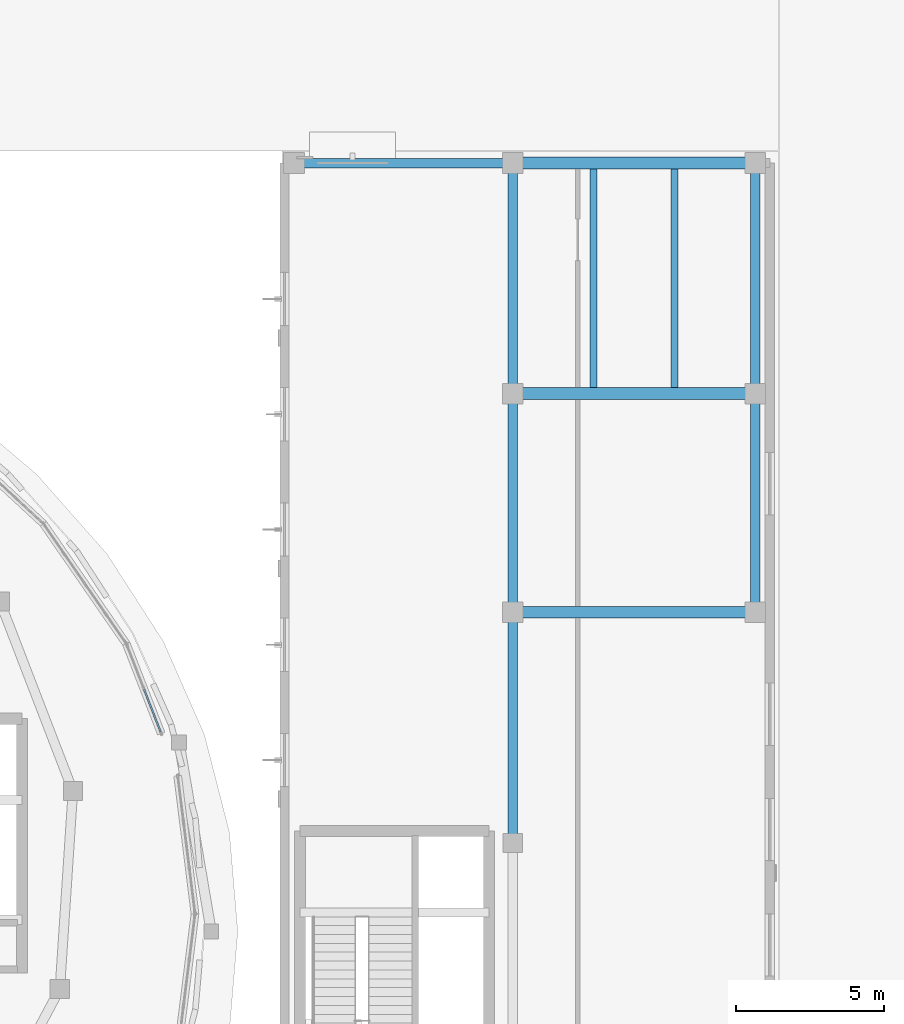
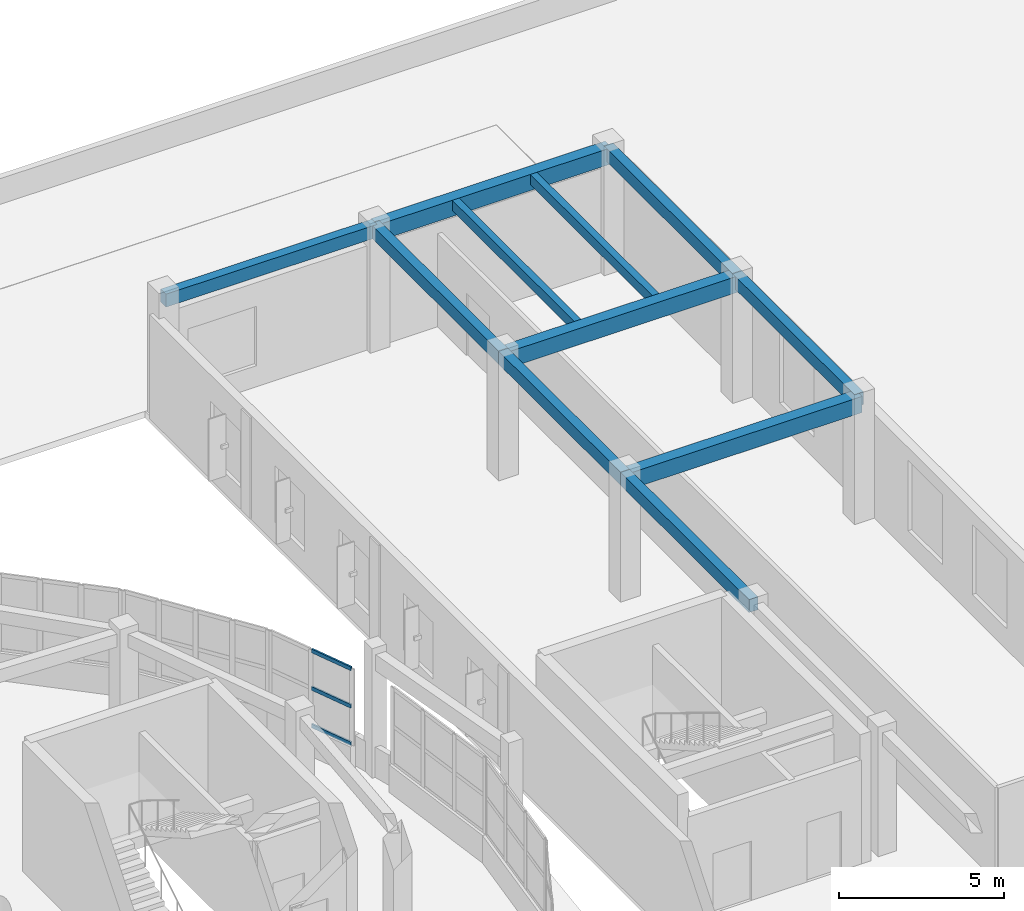
# One storey, part 66 of 105: 11 beams, 3 members, 1 element without a shape of its own.
"""IFC4 building model written with IfcOpenShell, lengths in metres."""

from ifc_helpers import new_model, si_unit, direction, frame, origin, origin_2d, place, context, subcontext, project, spatial, rectangle, hollow_rectangle, extrude, material, layer, layer_set, material_profile, profile_set, type_object, element, aggregate, save


model = new_model("IFC4")

# Units and contexts
model_context = context("Model", 3, precision=1e-05, world=origin(), true_north=direction((0.0, 1.0)))
body_context = subcontext(model_context, "Body", "Model", "MODEL_VIEW")
ifc_project = project(units=[si_unit("LENGTHUNIT", "METRE"), si_unit("AREAUNIT", "SQUARE_METRE"), si_unit("VOLUMEUNIT", "CUBIC_METRE"), si_unit("PLANEANGLEUNIT", "RADIAN"), si_unit("MASSUNIT", "GRAM", prefix="KILO")], contexts=[model_context])

# Site, building, storey
site_placement = place(None, origin())
site = spatial("IfcSite", under=ifc_project, at=site_placement, CompositionType="ELEMENT")
building_placement = place(site_placement, origin())
building = spatial("IfcBuilding", under=site, at=building_placement, Name="Pelvatis Terrace Science Centre", CompositionType="ELEMENT")
storey_placement = place(building_placement, frame((0.0, 0.0, 10.199951171875)))
storey = spatial("IfcBuildingStorey", under=building, at=storey_placement, Name="L02", CompositionType="ELEMENT", Elevation=10.199951171875)

# Beams
ifc_material_1 = material(Name="Concrete C35/45", Category="concrete")
ifc_material_profile_1 = material_profile(ifc_material_1, rectangle(XDim=0.320068359375, YDim=0.47998046875, at=origin_2d()), Name="RC-BM 320x480")
ifc_profile_set_1 = profile_set([ifc_material_profile_1], Name="Concrete C35/45")
beam_type_1 = type_object("IfcBeamType", Name="BM-RC-320x480", PredefinedType="BEAM", material=ifc_profile_set_1)
beam_1_placement = place(storey_placement, frame((140.800048828125, 108.800048828125, 4.300048828125), z_axis=(1.0, 0.0, 0.0), x_axis=(0.0, 1.0, 0.0)))
element("IfcBeam", 1, at=beam_1_placement, inside=storey, type_object=beam_type_1, Name="Beam BM-L02-2989", PredefinedType="BEAM", context=body_context, shape_type="SweptSolid", body=[
    extrude(rectangle(XDim=0.320068359375, YDim=0.47998046875, at=origin_2d()), origin(), (0.0, 0.0, 1.0), 7.39990234375),
])
beam_2_placement = place(storey_placement, frame((148.199951171875, 85.800048828125, 4.300048828125), z_axis=(0.0, 1.0, 0.0), x_axis=(-1.0, 0.0, 0.0)))
element("IfcBeam", 2, at=beam_2_placement, inside=storey, type_object=beam_type_1, Name="Beam BM-L02-2999", PredefinedType="BEAM", context=body_context, shape_type="SweptSolid", body=[
    extrude(rectangle(XDim=0.320068359375, YDim=0.47998046875, at=origin_2d()), origin(), (0.0, 0.0, 1.0), 7.800048828125),
])
beam_3_placement = place(storey_placement, frame((148.199951171875, 93.60009765625, 4.300048828125), z_axis=(0.0, 1.0, 0.0), x_axis=(-1.0, 0.0, 0.0)))
element("IfcBeam", 3, at=beam_3_placement, inside=storey, type_object=beam_type_1, Name="Beam BM-L02-3000", PredefinedType="BEAM", context=body_context, shape_type="SweptSolid", body=[
    extrude(rectangle(XDim=0.320068359375, YDim=0.47998046875, at=origin_2d()), origin(), (0.0, 0.0, 1.0), 7.39990234375),
])
beam_4_placement = place(storey_placement, frame((148.199951171875, 101.0, 4.300048828125), z_axis=(0.0, 1.0, 0.0), x_axis=(-1.0, 0.0, 0.0)))
element("IfcBeam", 4, at=beam_4_placement, inside=storey, type_object=beam_type_1, Name="Beam BM-L02-3002", PredefinedType="BEAM", context=body_context, shape_type="SweptSolid", body=[
    extrude(rectangle(XDim=0.320068359375, YDim=0.47998046875, at=origin_2d()), origin(), (0.0, 0.0, 1.0), 7.800048828125),
])
beam_5_placement = place(storey_placement, frame((156.39990234375, 93.60009765625, 4.300048828125), z_axis=(0.0, 1.0, 0.0), x_axis=(-1.0, 0.0, 0.0)))
element("IfcBeam", 5, at=beam_5_placement, inside=storey, type_object=beam_type_1, Name="Beam BM-L02-3005", PredefinedType="BEAM", context=body_context, shape_type="SweptSolid", body=[
    extrude(rectangle(XDim=0.320068359375, YDim=0.47998046875, at=origin_2d()), origin(), (0.0, 0.0, 1.0), 7.39990234375),
])
beam_6_placement = place(storey_placement, frame((156.39990234375, 101.0, 4.300048828125), z_axis=(0.0, 1.0, 0.0), x_axis=(-1.0, 0.0, 0.0)))
element("IfcBeam", 6, at=beam_6_placement, inside=storey, type_object=beam_type_1, Name="Beam BM-L02-3006", PredefinedType="BEAM", context=body_context, shape_type="SweptSolid", body=[
    extrude(rectangle(XDim=0.320068359375, YDim=0.47998046875, at=origin_2d()), origin(), (0.0, 0.0, 1.0), 7.800048828125),
])
ifc_material_2 = material(Name="Concrete C35/45", Category="concrete")
ifc_material_profile_2 = material_profile(ifc_material_2, rectangle(XDim=0.39990234375, YDim=0.60009765625, at=origin_2d()), Name="RC-BM 400x600")
ifc_profile_set_2 = profile_set([ifc_material_profile_2], Name="Concrete C35/45")
beam_type_2 = type_object("IfcBeamType", Name="BM-RC-400x600", PredefinedType="BEAM", material=ifc_profile_set_2)
for number, where, z_axis, x_axis, name in (
    (7, (148.199951171875, 93.60009765625, 4.239990234375), (1.0, 0.0, 0.0), (0.0, 1.0, 0.0), "Beam BM-L02-3001"),
    (8, (148.199951171875, 101.0, 4.239990234375), (1.0, 0.0, 0.0), (0.0, 1.0, 0.0), "Beam BM-L02-3003"),
    (9, (148.199951171875, 108.800048828125, 4.239990234375), (1.0, 0.0, 0.0), (0.0, 1.0, 0.0), "Beam BM-L02-3004"),
):
    element("IfcBeam", number, at=place(storey_placement, frame(where, z_axis=z_axis, x_axis=x_axis)), inside=storey, type_object=beam_type_2, Name=name, PredefinedType="BEAM", context=body_context, shape_type="SweptSolid", body=[
        extrude(rectangle(XDim=0.39990234375, YDim=0.60009765625, at=origin_2d()), origin(), (0.0, 0.0, 1.0), 8.199951171875),
    ])

# Curtain wall, members
ifc_material_3 = material(Name="Bronze-anodised aluminium and laminated glass", Category="aluminium")
ifc_layer = layer(ifc_material_3, 0.179931640625)
ifc_layer_set = layer_set([ifc_layer], Name="Bronze-anodised aluminium and laminated glass")
curtain_wall_type = type_object("IfcCurtainWallType", Name="CW-RIBBON-A", PredefinedType="NOTDEFINED", material=ifc_layer_set)
curtain_wall_placement = place(storey_placement, origin())
curtain_wall = element("IfcCurtainWall", 10, at=curtain_wall_placement, inside=storey, type_object=curtain_wall_type, Name="Ribbon curtain wall CW-155 (L02)", PredefinedType="NOTDEFINED")
ifc_material_4 = material(Name="Bronze-anodised aluminium 6063-T6", Category="aluminium")
ifc_material_profile_3 = material_profile(ifc_material_4, hollow_rectangle(XDim=0.06005859375, YDim=0.139892578125, WallThickness=0.00390625, at=origin_2d()), Name="ALU-TRN 60x140")
ifc_profile_set_3 = profile_set([ifc_material_profile_3], Name="Bronze-anodised aluminium 6063-T6")
member_type = type_object("IfcMemberType", Name="CWT-60x140", PredefinedType="USERDEFINED", material=ifc_profile_set_3)
member_1_placement = place(storey_placement, frame((136.285888671875, 89.553466796875, 1.050048828125), z_axis=(-0.362254654878, 0.932079162421, 0.0), x_axis=(-0.932079162421, -0.362254654878, 0.0)))
member_1 = element("IfcMember", 11, at=member_1_placement, type_object=member_type, Name="CW-155 transom 1.1", ObjectType="TRANSOM", PredefinedType="USERDEFINED", context=body_context, shape_type="SweptSolid", body=[
    extrude(hollow_rectangle(XDim=0.06005859375, YDim=0.139892578125, WallThickness=0.00390625, at=origin_2d()), origin(), (0.0, 0.0, 1.0), 1.537353515625),
])
member_2_placement = place(storey_placement, frame((136.285888671875, 89.553466796875, 2.43994140625), z_axis=(-0.362254654878, 0.932079162421, 0.0), x_axis=(-0.932079162421, -0.362254654878, 0.0)))
member_2 = element("IfcMember", 12, at=member_2_placement, type_object=member_type, Name="CW-155 transom 1.2", ObjectType="TRANSOM", PredefinedType="USERDEFINED", context=body_context, shape_type="SweptSolid", body=[
    extrude(hollow_rectangle(XDim=0.06005859375, YDim=0.139892578125, WallThickness=0.00390625, at=origin_2d()), origin(), (0.0, 0.0, 1.0), 1.537353515625),
])
member_3_placement = place(storey_placement, frame((136.285888671875, 89.553466796875, 3.830078125), z_axis=(-0.362254654878, 0.932079162421, 0.0), x_axis=(-0.932079162421, -0.362254654878, 0.0)))
member_3 = element("IfcMember", 13, at=member_3_placement, type_object=member_type, Name="CW-155 transom 1.3", ObjectType="TRANSOM", PredefinedType="USERDEFINED", context=body_context, shape_type="SweptSolid", body=[
    extrude(hollow_rectangle(XDim=0.06005859375, YDim=0.139892578125, WallThickness=0.00390625, at=origin_2d()), origin(), (0.0, 0.0, 1.0), 1.537353515625),
])
aggregate(curtain_wall, [member_1, member_2, member_3])

# Beams
ifc_material_5 = material(Name="Concrete C35/45", Category="concrete")
ifc_material_profile_4 = material_profile(ifc_material_5, rectangle(XDim=0.239990234375, YDim=0.3798828125, at=origin_2d()), Name="RC-JST 240x380")
ifc_profile_set_4 = profile_set([ifc_material_profile_4], Name="Concrete C35/45")
beam_type_3 = type_object("IfcBeamType", Name="JST-RC-240x380", PredefinedType="JOIST", material=ifc_profile_set_4)
for number, where, z_axis, x_axis, name in (
    (14, (150.933349609375, 101.199951171875, 4.35009765625), (0.0, 1.0, 0.0), (-1.0, 0.0, 0.0), "Secondary floor joist J-L02-2187"),
    (15, (153.666748046875, 101.199951171875, 4.35009765625), (0.0, 1.0, 0.0), (-1.0, 0.0, 0.0), "Secondary floor joist J-L02-2188"),
):
    element("IfcBeam", number, at=place(storey_placement, frame(where, z_axis=z_axis, x_axis=x_axis)), inside=storey, type_object=beam_type_3, Name=name, PredefinedType="JOIST", context=body_context, shape_type="SweptSolid", body=[
        extrude(rectangle(XDim=0.239990234375, YDim=0.3798828125, at=origin_2d()), origin(), (0.0, 0.0, 1.0), 7.400146484375),
    ])

save(model, "model.ifc")
